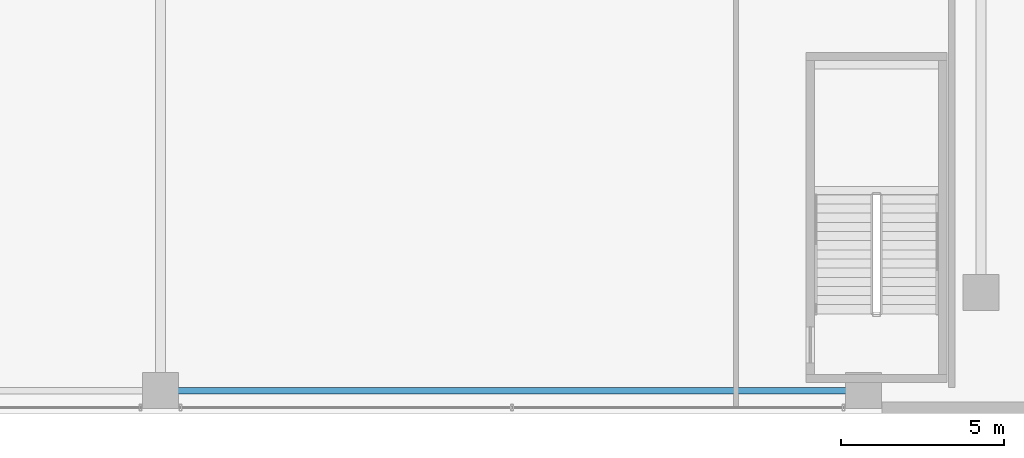
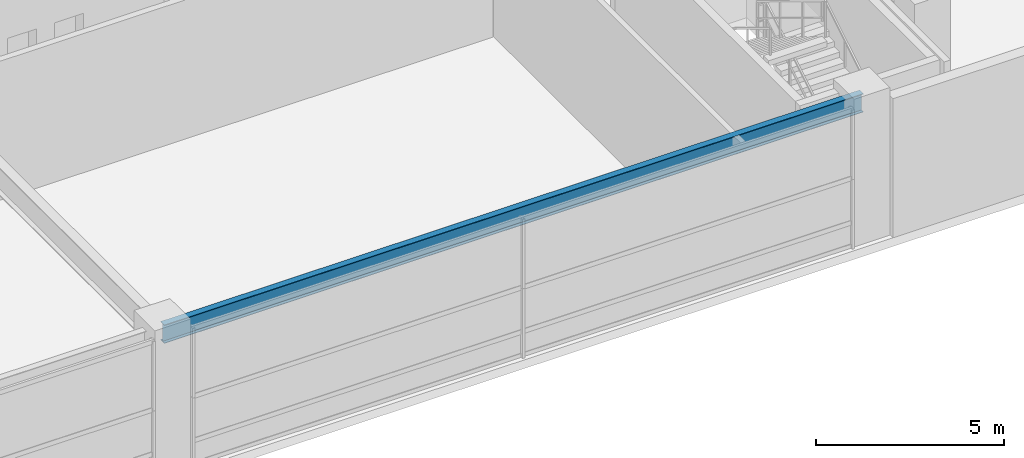
# One storey, part 12 of 38: 1 beam.
"""IFC4 building model written with IfcOpenShell, lengths in metres."""

from ifc_helpers import new_model, si_unit, direction, frame, origin, origin_2d, place, context, subcontext, project, spatial, i_section, extrude, source, transform, mapped, material, material_profile, profile_set, type_object, element, save


model = new_model("IFC4")

# Units and contexts
model_context = context("Model", 3, precision=1e-05, world=origin(), true_north=direction((0.0, 1.0)))
body_context = subcontext(model_context, "Body", "Model", "MODEL_VIEW")
ifc_project = project(units=[si_unit("LENGTHUNIT", "METRE"), si_unit("AREAUNIT", "SQUARE_METRE"), si_unit("VOLUMEUNIT", "CUBIC_METRE"), si_unit("PLANEANGLEUNIT", "RADIAN"), si_unit("MASSUNIT", "GRAM", prefix="KILO"), si_unit("THERMODYNAMICTEMPERATUREUNIT", "KELVIN"), si_unit("POWERUNIT", "WATT")], contexts=[model_context])

# Site, building, storey
site_placement = place(None, origin())
site = spatial("IfcSite", under=ifc_project, at=site_placement, CompositionType="ELEMENT")
building_placement = place(site_placement, origin())
building = spatial("IfcBuilding", under=site, at=building_placement, Name="Yuzanri Waterfront Tower", CompositionType="ELEMENT")
storey_placement = place(building_placement, frame((0.0, 0.0, 10.199951171875)))
storey = spatial("IfcBuildingStorey", under=building, at=storey_placement, Name="L03", CompositionType="ELEMENT", Elevation=10.199951171875)

# Beam
ifc_material = material(Name="Steel Q355B", Category="steel")
ifc_material_profile = material_profile(ifc_material, i_section(OverallWidth=0.199951171875, OverallDepth=0.60009765625, WebThickness=0.010986328125, FlangeThickness=0.01708984375, at=origin_2d()), Name="HN 600x200x11x17")
ifc_profile_set = profile_set([ifc_material_profile], Name="Steel Q355B")
beam_type = type_object("IfcBeamType", Name="Perimeter Spandrel Q355B HN 600x200", PredefinedType="SPANDREL", material=ifc_profile_set)
shared_shape = source(origin(), body_context, "Body", "SweptSolid", [
    extrude(i_section(OverallWidth=0.199951171875, OverallDepth=0.60009765625, WebThickness=0.010986328125, FlangeThickness=0.01708984375, at=origin_2d()), origin(), (0.0, 0.0, 1.0), 21.5),
])
beam_placement = place(storey_placement, frame((37.0, 2.5, 4.219970703125), z_axis=(1.0, 0.0, 0.0), x_axis=(0.0, 1.0, 0.0)))
element("IfcBeam", 1, at=beam_placement, inside=storey, type_object=beam_type, Name="L03 South Spandrel 2", PredefinedType="SPANDREL", context=body_context, shape_type="MappedRepresentation", body=[
    mapped(shared_shape, transform((0.0, 0.0, 0.0), scale=1.0)),
])

save(model, "model.ifc")
